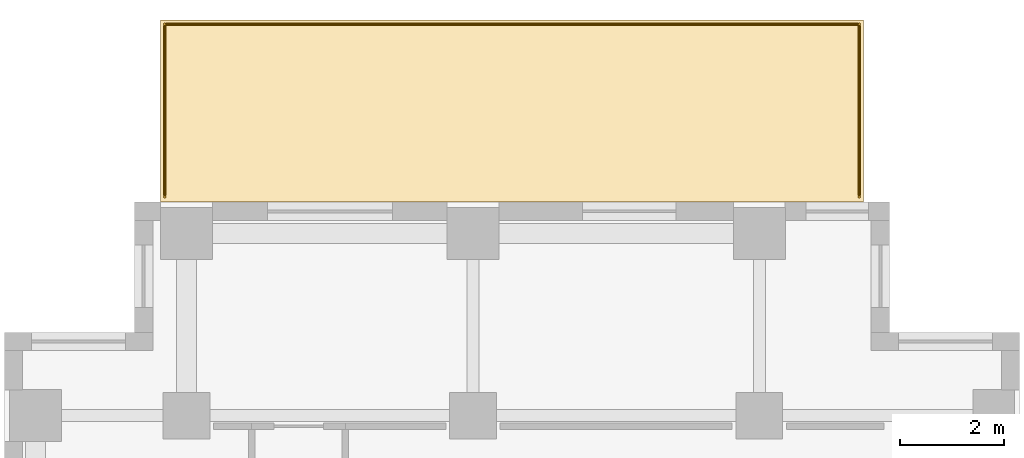
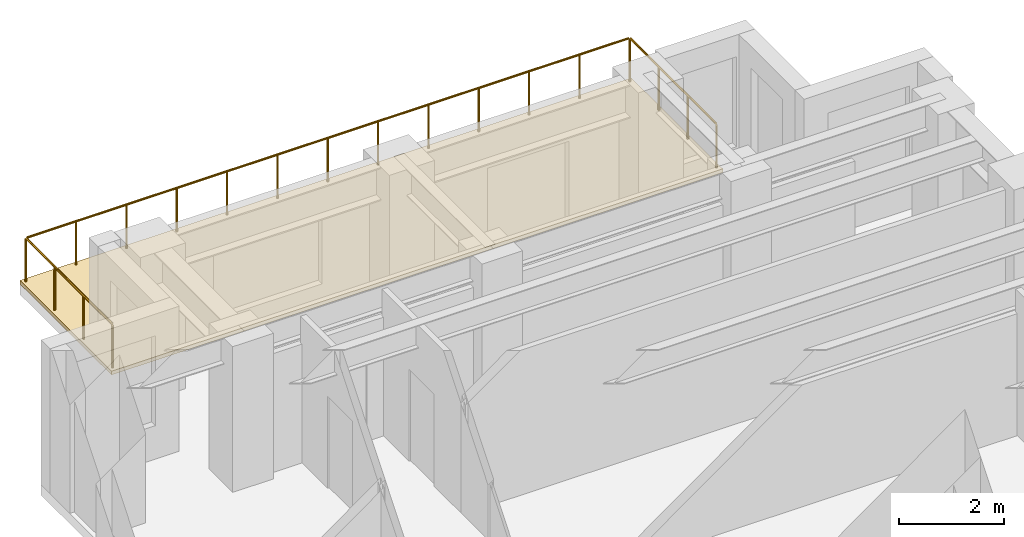
# One storey, part 13 of 13: 1 covering, 1 railing.
"""IFC4 building model written with IfcOpenShell, lengths in metres."""

from ifc_helpers import new_model, si_unit, direction, frame, origin, origin_2d, place, context, subcontext, project, spatial, polyline, circle, outline, extrude, source, transform, mapped, material, layer, layer_set, type_object, element, save


model = new_model("IFC4")

# Units and contexts
model_context = context("Model", 3, precision=1e-05, world=origin(), true_north=direction((0.0, 1.0)))
body_context = subcontext(model_context, "Body", "Model", "MODEL_VIEW")
ifc_project = project(units=[si_unit("LENGTHUNIT", "METRE"), si_unit("AREAUNIT", "SQUARE_METRE"), si_unit("VOLUMEUNIT", "CUBIC_METRE"), si_unit("PLANEANGLEUNIT", "RADIAN"), si_unit("MASSUNIT", "GRAM", prefix="KILO")], contexts=[model_context])

# Site, building, storey
site_placement = place(None, origin())
site = spatial("IfcSite", under=ifc_project, at=site_placement, CompositionType="ELEMENT")
building_placement = place(site_placement, origin())
building = spatial("IfcBuilding", under=site, at=building_placement, Name="Kharzan Plaza Tower", CompositionType="ELEMENT")
storey_placement = place(building_placement, frame((0.0, 0.0, 143.10009765625)))
storey = spatial("IfcBuildingStorey", under=building, at=storey_placement, Name="L38", CompositionType="ELEMENT", Elevation=143.10009765625)

# Covering
ifc_material_1 = material(Name="Inverted EPDM Waterproofing and Gravel Ballast", Category="membrane")
ifc_layer_1 = layer(ifc_material_1, 0.0849609375)
ifc_layer_set_1 = layer_set([ifc_layer_1], Name="Inverted EPDM Waterproofing and Gravel Ballast")
covering_type = type_object("IfcCoveringType", Name="COV-ROOF-MEMB", PredefinedType="ROOFING", material=ifc_layer_set_1)
covering_placement = place(storey_placement, origin())
element("IfcCovering", 1, at=covering_placement, inside=storey, type_object=covering_type, Name="L38 Terrace Waterproofing Covering", PredefinedType="ROOFING", context=body_context, shape_type="SweptSolid", body=[
    extrude(outline(polyline([(3.0, 42.0), (16.5, 42.0), (16.5, 45.5), (3.0, 45.5), (3.0, 42.0)])), origin(), (0.0, 0.0, 1.0), 0.0849609375),
])

# Railing
ifc_material_2 = material(Name="Painted Galvanized Architectural Steel", Category="steel")
ifc_layer_2 = layer(ifc_material_2, 0.074951171875)
ifc_layer_set_2 = layer_set([ifc_layer_2], Name="Painted Galvanized Architectural Steel")
railing_type = type_object("IfcRailingType", Name="RL-GUARD-1120", PredefinedType="BALUSTRADE", material=ifc_layer_set_2)
shared_shape = source(origin(), body_context, "Body", "SweptSolid", [
    extrude(circle(Radius=0.02392578125, at=origin_2d()), frame((0.0, 0.0263671875, 1.09619140625), z_axis=(0.0, 1.0, 0.0), x_axis=(-1.0, 0.0, 0.0)), (0.0, 0.0, 1.0), 3.266845703125),
    extrude(circle(Radius=0.02392578125, at=origin_2d()), frame((0.0263671875, 3.31982421875, 1.09619140625), z_axis=(1.0, 0.0, 0.0), x_axis=(0.0, 1.0, 0.0)), (0.0, 0.0, 1.0), 13.286865234375),
    extrude(circle(Radius=0.02392578125, at=origin_2d()), frame((13.33984375, 3.29345703125, 1.09619140625), z_axis=(0.0, -1.0, 0.0), x_axis=(1.0, 0.0, 0.0)), (0.0, 0.0, 1.0), 3.266845703125),
    extrude(circle(Radius=0.02099609375, at=origin_2d()), origin(), (0.0, 0.0, 1.0), 1.072021484375),
    extrude(circle(Radius=0.02099609375, at=origin_2d()), frame((0.0, 1.106689453125, 0.0)), (0.0, 0.0, 1.0), 1.072021484375),
    extrude(circle(Radius=0.02099609375, at=origin_2d()), frame((0.0, 2.213134765625, 0.0)), (0.0, 0.0, 1.0), 1.072021484375),
    extrude(circle(Radius=0.02099609375, at=origin_2d()), frame((0.0, 3.31982421875, 0.0)), (0.0, 0.0, 1.0), 1.072021484375),
    extrude(circle(Radius=0.02099609375, at=origin_2d()), frame((1.111572265625, 3.31982421875, 0.0)), (0.0, 0.0, 1.0), 1.072021484375),
    extrude(circle(Radius=0.02099609375, at=origin_2d()), frame((2.223388671875, 3.31982421875, 0.0)), (0.0, 0.0, 1.0), 1.072021484375),
    extrude(circle(Radius=0.02099609375, at=origin_2d()), frame((3.3349609375, 3.31982421875, 0.0)), (0.0, 0.0, 1.0), 1.072021484375),
    extrude(circle(Radius=0.02099609375, at=origin_2d()), frame((4.446533203125, 3.31982421875, 0.0)), (0.0, 0.0, 1.0), 1.072021484375),
    extrude(circle(Radius=0.02099609375, at=origin_2d()), frame((5.558349609375, 3.31982421875, 0.0)), (0.0, 0.0, 1.0), 1.072021484375),
    extrude(circle(Radius=0.02099609375, at=origin_2d()), frame((6.669921875, 3.31982421875, 0.0)), (0.0, 0.0, 1.0), 1.072021484375),
    extrude(circle(Radius=0.02099609375, at=origin_2d()), frame((7.781494140625, 3.31982421875, 0.0)), (0.0, 0.0, 1.0), 1.072021484375),
    extrude(circle(Radius=0.02099609375, at=origin_2d()), frame((8.893310546875, 3.31982421875, 0.0)), (0.0, 0.0, 1.0), 1.072021484375),
    extrude(circle(Radius=0.02099609375, at=origin_2d()), frame((10.0048828125, 3.31982421875, 0.0)), (0.0, 0.0, 1.0), 1.072021484375),
    extrude(circle(Radius=0.02099609375, at=origin_2d()), frame((11.116455078125, 3.31982421875, 0.0)), (0.0, 0.0, 1.0), 1.072021484375),
    extrude(circle(Radius=0.02099609375, at=origin_2d()), frame((12.228271484375, 3.31982421875, 0.0)), (0.0, 0.0, 1.0), 1.072021484375),
    extrude(circle(Radius=0.02099609375, at=origin_2d()), frame((13.33984375, 3.31982421875, 0.0)), (0.0, 0.0, 1.0), 1.072021484375),
    extrude(circle(Radius=0.02099609375, at=origin_2d()), frame((13.33984375, 2.213134765625, 0.0)), (0.0, 0.0, 1.0), 1.072021484375),
    extrude(circle(Radius=0.02099609375, at=origin_2d()), frame((13.33984375, 1.106689453125, 0.0)), (0.0, 0.0, 1.0), 1.072021484375),
    extrude(circle(Radius=0.02099609375, at=origin_2d()), frame((13.33984375, 0.0, 0.0)), (0.0, 0.0, 1.0), 1.072021484375),
])
railing_placement = place(storey_placement, frame((3.080078125, 42.10009765625, 0.0)))
element("IfcRailing", 2, at=railing_placement, inside=storey, type_object=railing_type, Name="L38 Setback Roof Terrace Perimeter Guard", PredefinedType="BALUSTRADE", context=body_context, shape_type="MappedRepresentation", body=[
    mapped(shared_shape, transform((0.0, 0.0, 0.0), x_axis=(1.0, 0.0, 0.0), y_axis=(0.0, 1.0, 0.0), z_axis=(0.0, 0.0, 1.0))),
])

save(model, "model.ifc")
